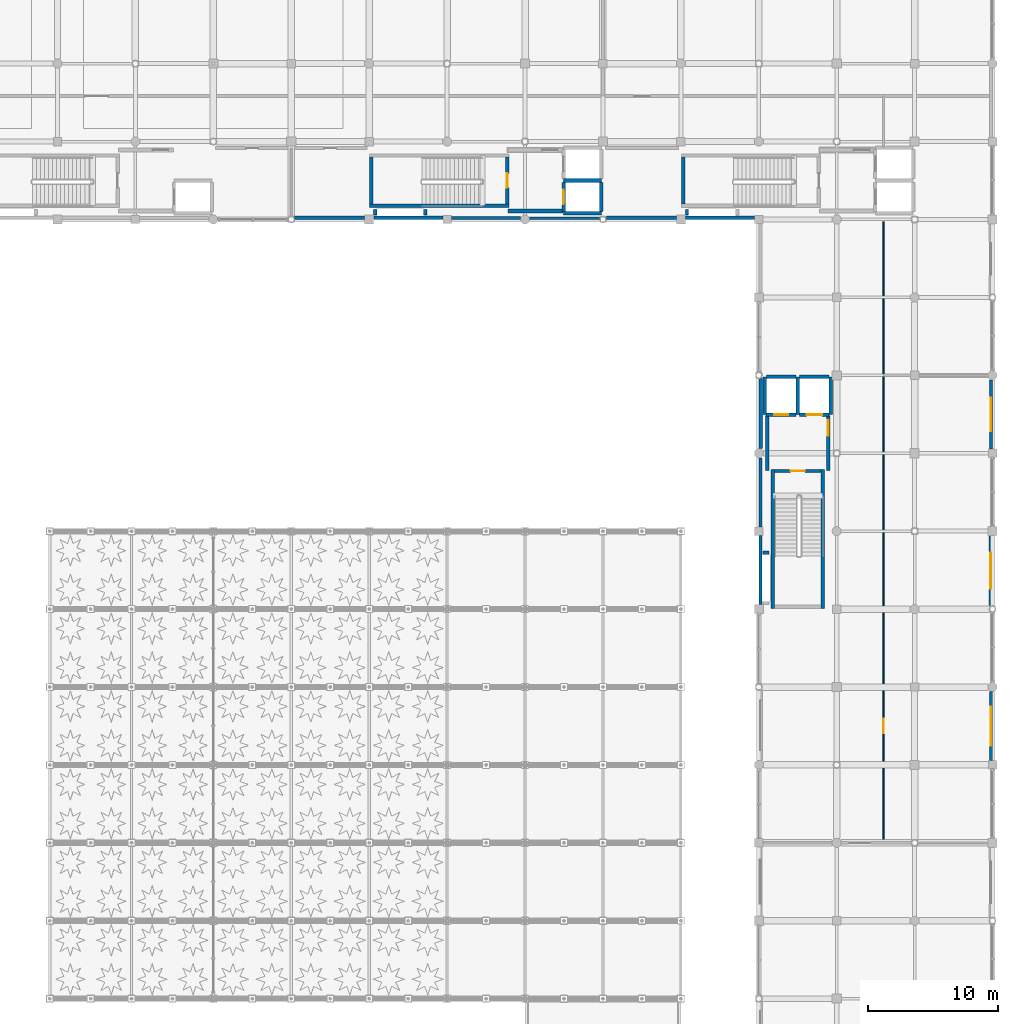
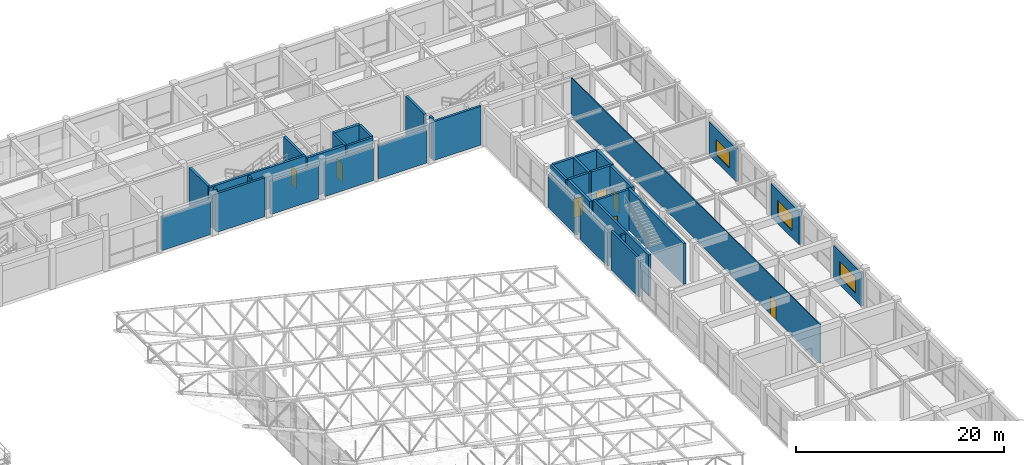
# One storey, part 97 of 112: 38 walls, 7 doors, 3 windows, 10 openings.
"""IFC4 building model written with IfcOpenShell, lengths in metres."""

from ifc_helpers import new_model, si_unit, direction, frame, frame_2d, origin, place, context, subcontext, project, spatial, rectangle, extrude, material, layer, layer_set, type_object, element, fill, save


model = new_model("IFC4")

# Units and contexts
model_context = context("Model", 3, precision=1e-05, world=origin(), true_north=direction((0.0, 1.0)))
body_context = subcontext(model_context, "Body", "Model", "MODEL_VIEW")
ifc_project = project(units=[si_unit("LENGTHUNIT", "METRE"), si_unit("AREAUNIT", "SQUARE_METRE"), si_unit("VOLUMEUNIT", "CUBIC_METRE"), si_unit("PLANEANGLEUNIT", "RADIAN"), si_unit("MASSUNIT", "GRAM", prefix="KILO"), si_unit("THERMODYNAMICTEMPERATUREUNIT", "KELVIN"), si_unit("POWERUNIT", "WATT")], contexts=[model_context])

# Site, building, storey
site_placement = place(None, origin())
site = spatial("IfcSite", under=ifc_project, at=site_placement, CompositionType="ELEMENT")
building_placement = place(site_placement, origin())
building = spatial("IfcBuilding", under=site, at=building_placement, Name="Phaisarnlok Congress Hotel", CompositionType="ELEMENT")
storey_placement = place(building_placement, frame((0.0, 0.0, 19.800048828125)))
storey = spatial("IfcBuildingStorey", under=building, at=storey_placement, Name="L04", CompositionType="ELEMENT", Elevation=19.800048828125)

# Walls
ifc_material_1 = material(Name="Concrete C40/50", Category="concrete")
ifc_layer_1 = layer(ifc_material_1, 0.2099609375, Name="Concrete C40/50")
ifc_layer_set_1 = layer_set([ifc_layer_1], Name="Concrete C40/50")
wall_type_1 = type_object("IfcWallType", Name="WL-EXT-210", PredefinedType="SOLIDWALL", material=ifc_layer_set_1)
wall_1_placement = place(storey_placement, frame((144.35498046875, 108.10498046875, 0.0), z_axis=(0.0, 0.0, 1.0), x_axis=(1.0, 0.0, 0.0)))
element("IfcWall", 1, at=wall_1_placement, inside=storey, type_object=wall_type_1, Name="Exterior wall EW-07 (L04)", PredefinedType="SOLIDWALL", context=body_context, shape_type="SweptSolid", body=[
    extrude(rectangle(XDim=5.385986328125, YDim=0.2099609375, at=frame_2d((2.69287109375, 0.0))), origin(), (0.0, 0.0, 1.0), 3.89990234375),
])
ifc_layer_2 = layer(ifc_material_1, 0.22998046875, Name="Concrete C40/50")
ifc_layer_set_2 = layer_set([ifc_layer_2], Name="Concrete C40/50")
wall_type_2 = type_object("IfcWallType", Name="WL-EXT-230", PredefinedType="SOLIDWALL", material=ifc_layer_set_2)
wall_2_placement = place(storey_placement, frame((138.330078125, 108.114990234375, 0.0), z_axis=(0.0, 0.0, 1.0), x_axis=(1.0, 0.0, 0.0)))
element("IfcWall", 2, at=wall_2_placement, inside=storey, type_object=wall_type_2, Name="Exterior wall EW-06 (L04)", PredefinedType="SOLIDWALL", context=body_context, shape_type="SweptSolid", body=[
    extrude(rectangle(XDim=5.31494140625, YDim=0.22998046875, at=frame_2d((2.657470703125, 0.0))), origin(), (0.0, 0.0, 1.0), 3.89990234375),
])
wall_3_placement = place(storey_placement, frame((162.114990234375, 83.669921875, 0.0), z_axis=(0.0, 0.0, 1.0), x_axis=(0.0, -1.0, 0.0)))
element("IfcWall", 3, at=wall_3_placement, inside=storey, type_object=wall_type_2, Name="Exterior wall EW-06 (L04)", PredefinedType="SOLIDWALL", context=body_context, shape_type="SweptSolid", body=[
    extrude(rectangle(XDim=5.31494140625, YDim=0.22998046875, at=frame_2d((2.657470703125, 0.0))), origin(), (0.0, 0.0, 1.0), 4.550048828125),
])

# Wall, opening, window
wall_4_placement = place(storey_placement, frame((179.885009765625, 66.330078125, 0.0), z_axis=(0.0, 0.0, 1.0), x_axis=(0.0, 1.0, 0.0)))
wall_4 = element("IfcWall", 4, at=wall_4_placement, inside=storey, type_object=wall_type_2, Name="Exterior wall EW-06 (L04)", PredefinedType="SOLIDWALL", context=body_context, shape_type="SweptSolid", body=[
    extrude(rectangle(XDim=5.31494140625, YDim=0.22998046875, at=frame_2d((2.657470703125, 0.0))), origin(), (0.0, 0.0, 1.0), 3.89990234375),
])
opening_1_placement = place(wall_4_placement, frame((1.156982421875, 0.0, 0.85009765625)))
opening_1 = element("IfcOpeningElement", 5, at=opening_1_placement, cuts=wall_4, Name="Opening W-05", PredefinedType="OPENING", context=body_context, shape_type="SweptSolid", body=[
    extrude(rectangle(XDim=3.0, YDim=1.89990234375, at=frame_2d((1.5, 0.949951171875))), frame((0.0, 0.125, 0.0), z_axis=(0.0, -1.0, 0.0), x_axis=(1.0, 0.0, 0.0)), (0.0, 0.0, 1.0), 0.25),
])
ifc_material_2 = material(Name="Thermally Broken Aluminium & Low-E Double Glazing", Category="aluminium")
window_type_1 = type_object("IfcWindowType", Name="WIN-POD-3000", PartitioningType="SINGLE_PANEL", PredefinedType="WINDOW", material=ifc_material_2)
window_1_placement = place(opening_1_placement, origin())
window_1 = element("IfcWindow", 6, at=window_1_placement, inside=storey, type_object=window_type_1, Name="Podium window W-05 (L04)", OverallHeight=1.89990234375, OverallWidth=3.0, PartitioningType="SINGLE_PANEL", PredefinedType="WINDOW", context=body_context, shape_type="SweptSolid", body=[
    extrude(rectangle(XDim=3.0, YDim=1.89990234375, at=frame_2d((1.5, 0.949951171875))), frame((0.0, 0.030029296875, 0.0), z_axis=(0.0, -1.0, 0.0), x_axis=(1.0, 0.0, 0.0)), (0.0, 0.0, 1.0), 0.06005859375),
])
fill(opening_1, window_1)

wall_5_placement = place(storey_placement, frame((179.885009765625, 90.330078125, 0.0), z_axis=(0.0, 0.0, 1.0), x_axis=(0.0, 1.0, 0.0)))
wall_5 = element("IfcWall", 7, at=wall_5_placement, inside=storey, type_object=wall_type_2, Name="Exterior wall EW-06 (L04)", PredefinedType="SOLIDWALL", context=body_context, shape_type="SweptSolid", body=[
    extrude(rectangle(XDim=5.31494140625, YDim=0.22998046875, at=frame_2d((2.657470703125, 0.0))), origin(), (0.0, 0.0, 1.0), 3.89990234375),
])
opening_2_placement = place(wall_5_placement, frame((1.35693359375, 0.0, 0.85009765625)))
opening_2 = element("IfcOpeningElement", 8, at=opening_2_placement, cuts=wall_5, Name="Opening W-07", PredefinedType="OPENING", context=body_context, shape_type="SweptSolid", body=[
    extrude(rectangle(XDim=2.60009765625, YDim=1.800048828125, at=frame_2d((1.300048828125, 0.89990234375))), frame((0.0, 0.125, 0.0), z_axis=(0.0, -1.0, 0.0), x_axis=(1.0, 0.0, 0.0)), (0.0, 0.0, 1.0), 0.25),
])
window_type_2 = type_object("IfcWindowType", Name="WIN-POD-2600", PartitioningType="SINGLE_PANEL", PredefinedType="WINDOW", material=ifc_material_2)
window_2_placement = place(opening_2_placement, origin())
window_2 = element("IfcWindow", 9, at=window_2_placement, inside=storey, type_object=window_type_2, Name="Podium window W-07 (L04)", OverallHeight=1.800048828125, OverallWidth=2.60009765625, PartitioningType="SINGLE_PANEL", PredefinedType="WINDOW", context=body_context, shape_type="SweptSolid", body=[
    extrude(rectangle(XDim=2.60009765625, YDim=1.800048828125, at=frame_2d((1.300048828125, 0.89990234375))), frame((0.0, 0.030029296875, 0.0), z_axis=(0.0, -1.0, 0.0), x_axis=(1.0, 0.0, 0.0)), (0.0, 0.0, 1.0), 0.06005859375),
])
fill(opening_2, window_2)

# Walls
ifc_layer_3 = layer(ifc_material_1, 0.25, Name="Concrete C40/50")
ifc_layer_set_3 = layer_set([ifc_layer_3], Name="Concrete C40/50")
wall_type_3 = type_object("IfcWallType", Name="WL-EXT-250", PredefinedType="SOLIDWALL", material=ifc_layer_set_3)
for number, where, z_axis, x_axis, name in (
    (10, (132.35498046875, 108.125, 0.0), (0.0, 0.0, 1.0), (1.0, 0.0, 0.0), "Exterior wall EW-05 (L04)"),
    (11, (156.35498046875, 108.125, 0.0), (0.0, 0.0, 1.0), (1.0, 0.0, 0.0), "Exterior wall EW-05 (L04)"),
):
    element("IfcWall", number, at=place(storey_placement, frame(where, z_axis=z_axis, x_axis=x_axis)), inside=storey, type_object=wall_type_3, Name=name, PredefinedType="SOLIDWALL", context=body_context, shape_type="SweptSolid", body=[
        extrude(rectangle(XDim=5.31494140625, YDim=0.25, at=frame_2d((2.657470703125, 0.0))), origin(), (0.0, 0.0, 1.0), 4.550048828125),
    ])
wall_6_placement = place(storey_placement, frame((162.125, 89.64501953125, 0.0), z_axis=(0.0, 0.0, 1.0), x_axis=(0.0, -1.0, 0.0)))
element("IfcWall", 12, at=wall_6_placement, inside=storey, type_object=wall_type_3, Name="Exterior wall EW-05 (L04)", PredefinedType="SOLIDWALL", context=body_context, shape_type="SweptSolid", body=[
    extrude(rectangle(XDim=5.31494140625, YDim=0.25, at=frame_2d((2.657470703125, 0.0))), origin(), (0.0, 0.0, 1.0), 3.89990234375),
])
ifc_layer_4 = layer(ifc_material_1, 0.27001953125, Name="Concrete C40/50")
ifc_layer_set_4 = layer_set([ifc_layer_4], Name="Concrete C40/50")
wall_type_4 = type_object("IfcWallType", Name="WL-EXT-270", PredefinedType="SOLIDWALL", material=ifc_layer_set_4)
for number, where, z_axis, x_axis, name in (
    (13, (126.259033203125, 108.135009765625, 0.0), (0.0, 0.0, 1.0), (1.0, 0.0, 0.0), "Exterior wall EW-04 (L04)"),
    (14, (150.259033203125, 108.135009765625, 0.0), (0.0, 0.0, 1.0), (1.0, 0.0, 0.0), "Exterior wall EW-04 (L04)"),
    (15, (162.135009765625, 95.740966796875, 0.0), (0.0, 0.0, 1.0), (0.0, -1.0, 0.0), "Exterior wall EW-04 (L04)"),
):
    element("IfcWall", number, at=place(storey_placement, frame(where, z_axis=z_axis, x_axis=x_axis)), inside=storey, type_object=wall_type_4, Name=name, PredefinedType="SOLIDWALL", context=body_context, shape_type="SweptSolid", body=[
        extrude(rectangle(XDim=5.385986328125, YDim=0.27001953125, at=frame_2d((2.69287109375, 0.0))), origin(), (0.0, 0.0, 1.0), 3.89990234375),
    ])

# Wall, opening, window
wall_7_placement = place(storey_placement, frame((179.864990234375, 78.259033203125, 0.0), z_axis=(0.0, 0.0, 1.0), x_axis=(0.0, 1.0, 0.0)))
wall_7 = element("IfcWall", 16, at=wall_7_placement, inside=storey, type_object=wall_type_4, Name="Exterior wall EW-04 (L04)", PredefinedType="SOLIDWALL", context=body_context, shape_type="SweptSolid", body=[
    extrude(rectangle(XDim=5.385986328125, YDim=0.27001953125, at=frame_2d((2.69287109375, 0.0))), origin(), (0.0, 0.0, 1.0), 3.89990234375),
])
opening_3_placement = place(wall_7_placement, frame((1.29296875, 0.0, 0.85009765625)))
opening_3 = element("IfcOpeningElement", 17, at=opening_3_placement, cuts=wall_7, Name="Opening W-06", PredefinedType="OPENING", context=body_context, shape_type="SweptSolid", body=[
    extrude(rectangle(XDim=2.800048828125, YDim=1.89990234375, at=frame_2d((1.39990234375, 0.949951171875))), frame((0.0, 0.14501953125, 0.0), z_axis=(0.0, -1.0, 0.0), x_axis=(1.0, 0.0, 0.0)), (0.0, 0.0, 1.0), 0.2900390625),
])
window_type_3 = type_object("IfcWindowType", Name="WIN-POD-2800", PartitioningType="SINGLE_PANEL", PredefinedType="WINDOW", material=ifc_material_2)
window_3_placement = place(opening_3_placement, origin())
window_3 = element("IfcWindow", 18, at=window_3_placement, inside=storey, type_object=window_type_3, Name="Podium window W-06 (L04)", OverallHeight=1.89990234375, OverallWidth=2.800048828125, PartitioningType="SINGLE_PANEL", PredefinedType="WINDOW", context=body_context, shape_type="SweptSolid", body=[
    extrude(rectangle(XDim=2.800048828125, YDim=1.89990234375, at=frame_2d((1.39990234375, 0.949951171875))), frame((0.0, 0.030029296875, 0.0), z_axis=(0.0, -1.0, 0.0), x_axis=(1.0, 0.0, 0.0)), (0.0, 0.0, 1.0), 0.06005859375),
])
fill(opening_3, window_3)

# Wall, opening, door
ifc_material_3 = material(Name="Service Riser Shaftwall Partition", Category="gypsum")
ifc_layer_5 = layer(ifc_material_3, 0.10498046875, Name="Service Riser Shaftwall Partition")
ifc_layer_set_5 = layer_set([ifc_layer_5], Name="Service Riser Shaftwall Partition")
wall_type_5 = type_object("IfcWallType", Name="WL-INT-105", PredefinedType="PARTITIONING", material=ifc_layer_set_5)
wall_8_placement = place(storey_placement, frame((171.60009765625, 60.0, 0.0), z_axis=(0.0, 0.0, 1.0), x_axis=(0.0, 1.0, 0.0)))
wall_8 = element("IfcWall", 19, at=wall_8_placement, inside=storey, type_object=wall_type_5, Name="Interior partition wall IW-08 (L04)", PredefinedType="PARTITIONING", context=body_context, shape_type="SweptSolid", body=[
    extrude(rectangle(XDim=47.820068359375, YDim=0.10498046875, at=frame_2d((23.91015625, 0.0))), origin(), (0.0, 0.0, 1.0), 4.550048828125),
])
opening_4_placement = place(wall_8_placement, frame((8.449951171875, 0.0, 0.0)))
opening_4 = element("IfcOpeningElement", 20, at=opening_4_placement, cuts=wall_8, Name="Opening D-0133", PredefinedType="OPENING", context=body_context, shape_type="SweptSolid", body=[
    extrude(rectangle(XDim=1.10009765625, YDim=2.14990234375, at=frame_2d((0.550048828125, 1.074951171875))), frame((0.0, 0.0625, 0.0), z_axis=(0.0, -1.0, 0.0), x_axis=(1.0, 0.0, 0.0)), (0.0, 0.0, 1.0), 0.125),
])
ifc_material_4 = material(Name="Fire-Rated Steel Frame & Timber Leaf", Category="steel")
door_type_1 = type_object("IfcDoorType", Name="DR-FD60-1100", OperationType="NOTDEFINED", PredefinedType="DOOR", material=ifc_material_4)
door_1_placement = place(opening_4_placement, origin())
door_1 = element("IfcDoor", 21, at=door_1_placement, inside=storey, type_object=door_type_1, Name="Interior door D-0133 (L04)", OperationType="SINGLE_SWING_LEFT", OverallHeight=2.14990234375, OverallWidth=1.10009765625, PredefinedType="DOOR", context=body_context, shape_type="SweptSolid", body=[
    extrude(rectangle(XDim=1.10009765625, YDim=2.14990234375, at=frame_2d((0.550048828125, 1.074951171875))), frame((0.0, 0.02490234375, 0.0), z_axis=(0.0, -1.0, 0.0), x_axis=(1.0, 0.0, 0.0)), (0.0, 0.0, 1.0), 0.050048828125),
])
fill(opening_4, door_1)

# Walls
ifc_material_5 = material(Name="Concrete C50/60", Category="concrete")
ifc_layer_6 = layer(ifc_material_5, 0.260009765625, Name="Concrete C50/60")
ifc_layer_set_6 = layer_set([ifc_layer_6], Name="Concrete C50/60")
wall_type_6 = type_object("IfcWallType", Name="WL-SHR-260", PredefinedType="SHEAR", material=ifc_layer_set_6)
wall_9_placement = place(storey_placement, frame((156.169921875, 109.199951171875, 0.0), z_axis=(0.0, 0.0, 1.0), x_axis=(0.0, 1.0, 0.0)))
element("IfcWall", 22, at=wall_9_placement, inside=storey, type_object=wall_type_6, Name="Stair shaft shear wall SW-04 (CORE-1 L04)", PredefinedType="SHEAR", context=body_context, shape_type="SweptSolid", body=[
    extrude(rectangle(XDim=3.60009765625, YDim=0.260009765625, at=frame_2d((1.800048828125, 0.0))), origin(), (0.0, 0.0, 1.0), 4.800048828125),
])
wall_10_placement = place(storey_placement, frame((156.469970703125, 108.330078125, 0.0), z_axis=(0.0, 0.0, 1.0), x_axis=(0.0, 1.0, 0.0)))
element("IfcWall", 23, at=wall_10_placement, inside=storey, type_object=wall_type_6, Name="Service riser shaft wall SW-04 (CORE-1 L04)", PredefinedType="SHEAR", context=body_context, shape_type="SweptSolid", body=[
    extrude(rectangle(XDim=0.43994140625, YDim=0.260009765625, at=frame_2d((0.219970703125, 0.0))), origin(), (0.0, 0.0, 1.0), 4.800048828125),
])
wall_11_placement = place(storey_placement, frame((132.0400390625, 109.070068359375, 0.0), z_axis=(0.0, 0.0, 1.0), x_axis=(1.0, 0.0, 0.0)))
element("IfcWall", 24, at=wall_11_placement, inside=storey, type_object=wall_type_6, Name="Stair shaft shear wall SW-04 (CORE-2 L04)", PredefinedType="SHEAR", context=body_context, shape_type="SweptSolid", body=[
    extrude(rectangle(XDim=10.719970703125, YDim=0.260009765625, at=frame_2d((5.35986328125, 0.0))), origin(), (0.0, 0.0, 1.0), 4.800048828125),
])
wall_12_placement = place(storey_placement, frame((132.169921875, 109.199951171875, 0.0), z_axis=(0.0, 0.0, 1.0), x_axis=(0.0, 1.0, 0.0)))
element("IfcWall", 25, at=wall_12_placement, inside=storey, type_object=wall_type_6, Name="Stair shaft shear wall SW-04 (CORE-2 L04)", PredefinedType="SHEAR", context=body_context, shape_type="SweptSolid", body=[
    extrude(rectangle(XDim=3.60009765625, YDim=0.260009765625, at=frame_2d((1.800048828125, 0.0))), origin(), (0.0, 0.0, 1.0), 4.800048828125),
])

# Wall, opening, door
wall_13_placement = place(storey_placement, frame((142.6298828125, 109.199951171875, 0.0), z_axis=(0.0, 0.0, 1.0), x_axis=(0.0, 1.0, 0.0)))
wall_13 = element("IfcWall", 26, at=wall_13_placement, inside=storey, type_object=wall_type_6, Name="Stair shaft shear wall SW-04 (CORE-2 L04)", PredefinedType="SHEAR", context=body_context, shape_type="SweptSolid", body=[
    extrude(rectangle(XDim=3.60009765625, YDim=0.260009765625, at=frame_2d((1.800048828125, 0.0))), origin(), (0.0, 0.0, 1.0), 4.800048828125),
])
opening_5_placement = place(wall_13_placement, frame((1.25, 0.0, 0.0)))
opening_5 = element("IfcOpeningElement", 27, at=opening_5_placement, cuts=wall_13, Name="Opening FD-036", PredefinedType="OPENING", context=body_context, shape_type="SweptSolid", body=[
    extrude(rectangle(XDim=1.10009765625, YDim=2.14990234375, at=frame_2d((0.550048828125, 1.074951171875))), frame((0.0, 0.14013671875, 0.0), z_axis=(0.0, -1.0, 0.0), x_axis=(1.0, 0.0, 0.0)), (0.0, 0.0, 1.0), 0.280029296875),
])
door_2_placement = place(opening_5_placement, origin())
door_2 = element("IfcDoor", 28, at=door_2_placement, inside=storey, type_object=door_type_1, Name="Stair enclosure fire door FD-036 (L04)", OperationType="SINGLE_SWING_LEFT", OverallHeight=2.14990234375, OverallWidth=1.10009765625, PredefinedType="DOOR", context=body_context, shape_type="SweptSolid", body=[
    extrude(rectangle(XDim=1.10009765625, YDim=2.14990234375, at=frame_2d((0.550048828125, 1.074951171875))), frame((0.0, 0.02490234375, 0.0), z_axis=(0.0, -1.0, 0.0), x_axis=(1.0, 0.0, 0.0)), (0.0, 0.0, 1.0), 0.050048828125),
])
fill(opening_5, door_2)

# Walls
wall_14_placement = place(storey_placement, frame((146.969970703125, 108.469970703125, 0.0), z_axis=(0.0, 0.0, 1.0), x_axis=(1.0, 0.0, 0.0)))
element("IfcWall", 29, at=wall_14_placement, inside=storey, type_object=wall_type_6, Name="Lift shaft shear wall SW-04 (LF-FF2 L04)", PredefinedType="SHEAR", context=body_context, shape_type="SweptSolid", body=[
    extrude(rectangle(XDim=2.909912109375, YDim=0.260009765625, at=frame_2d((1.455078125, 0.0))), origin(), (0.0, 0.0, 1.0), 4.800048828125),
])
wall_15_placement = place(storey_placement, frame((149.8798828125, 108.60009765625, 0.0), z_axis=(0.0, 0.0, 1.0), x_axis=(0.0, 1.0, 0.0)))
element("IfcWall", 30, at=wall_15_placement, inside=storey, type_object=wall_type_6, Name="Lift shaft shear wall SW-04 (LF-FF2 L04)", PredefinedType="SHEAR", context=body_context, shape_type="SweptSolid", body=[
    extrude(rectangle(XDim=2.25, YDim=0.260009765625, at=frame_2d((1.125, 0.0))), origin(), (0.0, 0.0, 1.0), 4.800048828125),
])

# Wall, opening, door
wall_16_placement = place(storey_placement, frame((146.969970703125, 108.60009765625, 0.0), z_axis=(0.0, 0.0, 1.0), x_axis=(0.0, 1.0, 0.0)))
wall_16 = element("IfcWall", 31, at=wall_16_placement, inside=storey, type_object=wall_type_6, Name="Lift shaft front wall SW-04 (LF-FF2 L04)", PredefinedType="SHEAR", context=body_context, shape_type="SweptSolid", body=[
    extrude(rectangle(XDim=2.25, YDim=0.260009765625, at=frame_2d((1.125, 0.0))), origin(), (0.0, 0.0, 1.0), 4.800048828125),
])
opening_6_placement = place(wall_16_placement, frame((0.574951171875, 0.0, 0.0)))
opening_6 = element("IfcOpeningElement", 32, at=opening_6_placement, cuts=wall_16, Name="Opening LD-036", PredefinedType="OPENING", context=body_context, shape_type="SweptSolid", body=[
    extrude(rectangle(XDim=1.10009765625, YDim=2.199951171875, at=frame_2d((0.550048828125, 1.10009765625))), frame((0.0, 0.14013671875, 0.0), z_axis=(0.0, -1.0, 0.0), x_axis=(1.0, 0.0, 0.0)), (0.0, 0.0, 1.0), 0.280029296875),
])
ifc_material_6 = material(Name="Brushed Stainless Steel Grade 304", Category="steel")
door_type_2 = type_object("IfcDoorType", Name="DR-LD-1100", OperationType="DOUBLE_DOOR_SLIDING", PredefinedType="DOOR", material=ifc_material_6)
door_3_placement = place(opening_6_placement, origin())
door_3 = element("IfcDoor", 33, at=door_3_placement, inside=storey, type_object=door_type_2, Name="Lift landing sliding door LD-036 (LF-FF2 L04)", OperationType="DOUBLE_DOOR_SLIDING", OverallHeight=2.199951171875, OverallWidth=1.10009765625, PredefinedType="DOOR", context=body_context, shape_type="SweptSolid", body=[
    extrude(rectangle(XDim=1.10009765625, YDim=2.199951171875, at=frame_2d((0.550048828125, 1.10009765625))), frame((0.0, 0.02490234375, 0.0), z_axis=(0.0, -1.0, 0.0), x_axis=(1.0, 0.0, 0.0)), (0.0, 0.0, 1.0), 0.050048828125),
])
fill(opening_6, door_3)

# Walls
for number, where, z_axis, x_axis, name in (
    (34, (132.469970703125, 108.330078125, 0.0), (0.0, 0.0, 1.0), (0.0, 1.0, 0.0), "Service riser shaft wall SW-04 (CORE-2 L04)"),
    (35, (136.330078125, 108.330078125, 0.0), (0.0, 0.0, 1.0), (0.0, 1.0, 0.0), "Service riser shaft wall SW-04 (CORE-2 L04)"),
):
    element("IfcWall", number, at=place(storey_placement, frame(where, z_axis=z_axis, x_axis=x_axis)), inside=storey, type_object=wall_type_6, Name=name, PredefinedType="SHEAR", context=body_context, shape_type="SweptSolid", body=[
        extrude(rectangle(XDim=0.43994140625, YDim=0.260009765625, at=frame_2d((0.219970703125, 0.0))), origin(), (0.0, 0.0, 1.0), 4.800048828125),
    ])
for number, where, z_axis, x_axis, name in (
    (36, (163.070068359375, 78.0400390625, 0.0), (0.0, 0.0, 1.0), (0.0, 1.0, 0.0), "Stair shaft shear wall SW-04 (CORE-3 L04)"),
    (37, (166.929931640625, 78.0400390625, 0.0), (0.0, 0.0, 1.0), (0.0, 1.0, 0.0), "Stair shaft shear wall SW-04 (CORE-3 L04)"),
):
    element("IfcWall", number, at=place(storey_placement, frame(where, z_axis=z_axis, x_axis=x_axis)), inside=storey, type_object=wall_type_6, Name=name, PredefinedType="SHEAR", context=body_context, shape_type="SweptSolid", body=[
        extrude(rectangle(XDim=10.719970703125, YDim=0.260009765625, at=frame_2d((5.35986328125, 0.0))), origin(), (0.0, 0.0, 1.0), 4.800048828125),
    ])

# Wall, opening, door
wall_17_placement = place(storey_placement, frame((163.199951171875, 88.6298828125, 0.0), z_axis=(0.0, 0.0, 1.0), x_axis=(1.0, 0.0, 0.0)))
wall_17 = element("IfcWall", 38, at=wall_17_placement, inside=storey, type_object=wall_type_6, Name="Stair shaft shear wall SW-04 (CORE-3 L04)", PredefinedType="SHEAR", context=body_context, shape_type="SweptSolid", body=[
    extrude(rectangle(XDim=3.60009765625, YDim=0.260009765625, at=frame_2d((1.800048828125, 0.0))), origin(), (0.0, 0.0, 1.0), 4.800048828125),
])
opening_7_placement = place(wall_17_placement, frame((1.25, 0.0, 0.0)))
opening_7 = element("IfcOpeningElement", 39, at=opening_7_placement, cuts=wall_17, Name="Opening FD-066", PredefinedType="OPENING", context=body_context, shape_type="SweptSolid", body=[
    extrude(rectangle(XDim=1.10009765625, YDim=2.14990234375, at=frame_2d((0.550048828125, 1.074951171875))), frame((0.0, 0.14013671875, 0.0), z_axis=(0.0, -1.0, 0.0), x_axis=(1.0, 0.0, 0.0)), (0.0, 0.0, 1.0), 0.280029296875),
])
door_4_placement = place(opening_7_placement, origin())
door_4 = element("IfcDoor", 40, at=door_4_placement, inside=storey, type_object=door_type_1, Name="Stair enclosure fire door FD-066 (L04)", OperationType="SINGLE_SWING_LEFT", OverallHeight=2.14990234375, OverallWidth=1.10009765625, PredefinedType="DOOR", context=body_context, shape_type="SweptSolid", body=[
    extrude(rectangle(XDim=1.10009765625, YDim=2.14990234375, at=frame_2d((0.550048828125, 1.074951171875))), frame((0.0, 0.02490234375, 0.0), z_axis=(0.0, -1.0, 0.0), x_axis=(1.0, 0.0, 0.0)), (0.0, 0.0, 1.0), 0.050048828125),
])
fill(opening_7, door_4)

# Walls
wall_18_placement = place(storey_placement, frame((162.469970703125, 92.969970703125, 0.0), z_axis=(0.0, 0.0, 1.0), x_axis=(0.0, 1.0, 0.0)))
element("IfcWall", 41, at=wall_18_placement, inside=storey, type_object=wall_type_6, Name="Lift shaft shear wall SW-04 (LF-HP3 L04)", PredefinedType="SHEAR", context=body_context, shape_type="SweptSolid", body=[
    extrude(rectangle(XDim=2.909912109375, YDim=0.260009765625, at=frame_2d((1.455078125, 0.0))), origin(), (0.0, 0.0, 1.0), 4.800048828125),
])
wall_19_placement = place(storey_placement, frame((162.60009765625, 95.8798828125, 0.0), z_axis=(0.0, 0.0, 1.0), x_axis=(1.0, 0.0, 0.0)))
element("IfcWall", 42, at=wall_19_placement, inside=storey, type_object=wall_type_6, Name="Lift shaft shear wall SW-04 (LF-HP3 L04)", PredefinedType="SHEAR", context=body_context, shape_type="SweptSolid", body=[
    extrude(rectangle(XDim=2.25, YDim=0.260009765625, at=frame_2d((1.125, 0.0))), origin(), (0.0, 0.0, 1.0), 4.800048828125),
])

# Wall, opening, door
wall_20_placement = place(storey_placement, frame((162.60009765625, 92.969970703125, 0.0), z_axis=(0.0, 0.0, 1.0), x_axis=(1.0, 0.0, 0.0)))
wall_20 = element("IfcWall", 43, at=wall_20_placement, inside=storey, type_object=wall_type_6, Name="Lift shaft front wall SW-04 (LF-HP3 L04)", PredefinedType="SHEAR", context=body_context, shape_type="SweptSolid", body=[
    extrude(rectangle(XDim=2.25, YDim=0.260009765625, at=frame_2d((1.125, 0.0))), origin(), (0.0, 0.0, 1.0), 4.800048828125),
])
opening_8_placement = place(wall_20_placement, frame((0.574951171875, 0.0, 0.0)))
opening_8 = element("IfcOpeningElement", 44, at=opening_8_placement, cuts=wall_20, Name="Opening LD-066", PredefinedType="OPENING", context=body_context, shape_type="SweptSolid", body=[
    extrude(rectangle(XDim=1.10009765625, YDim=2.199951171875, at=frame_2d((0.550048828125, 1.10009765625))), frame((0.0, 0.14013671875, 0.0), z_axis=(0.0, -1.0, 0.0), x_axis=(1.0, 0.0, 0.0)), (0.0, 0.0, 1.0), 0.280029296875),
])
door_5_placement = place(opening_8_placement, origin())
door_5 = element("IfcDoor", 45, at=door_5_placement, inside=storey, type_object=door_type_2, Name="Lift landing sliding door LD-066 (LF-HP3 L04)", OperationType="DOUBLE_DOOR_SLIDING", OverallHeight=2.199951171875, OverallWidth=1.10009765625, PredefinedType="DOOR", context=body_context, shape_type="SweptSolid", body=[
    extrude(rectangle(XDim=1.10009765625, YDim=2.199951171875, at=frame_2d((0.550048828125, 1.10009765625))), frame((0.0, 0.02490234375, 0.0), z_axis=(0.0, -1.0, 0.0), x_axis=(1.0, 0.0, 0.0)), (0.0, 0.0, 1.0), 0.050048828125),
])
fill(opening_8, door_5)

# Walls
wall_21_placement = place(storey_placement, frame((167.530029296875, 92.969970703125, 0.0), z_axis=(0.0, 0.0, 1.0), x_axis=(0.0, 1.0, 0.0)))
element("IfcWall", 46, at=wall_21_placement, inside=storey, type_object=wall_type_6, Name="Lift shaft shear wall SW-04 (LF-SV1 L04)", PredefinedType="SHEAR", context=body_context, shape_type="SweptSolid", body=[
    extrude(rectangle(XDim=2.909912109375, YDim=0.260009765625, at=frame_2d((1.455078125, 0.0))), origin(), (0.0, 0.0, 1.0), 4.800048828125),
])
wall_22_placement = place(storey_placement, frame((165.14990234375, 95.8798828125, 0.0), z_axis=(0.0, 0.0, 1.0), x_axis=(1.0, 0.0, 0.0)))
element("IfcWall", 47, at=wall_22_placement, inside=storey, type_object=wall_type_6, Name="Lift shaft shear wall SW-04 (LF-SV1 L04)", PredefinedType="SHEAR", context=body_context, shape_type="SweptSolid", body=[
    extrude(rectangle(XDim=2.25, YDim=0.260009765625, at=frame_2d((1.125, 0.0))), origin(), (0.0, 0.0, 1.0), 4.800048828125),
])

# Wall, opening, door
wall_23_placement = place(storey_placement, frame((165.14990234375, 92.969970703125, 0.0), z_axis=(0.0, 0.0, 1.0), x_axis=(1.0, 0.0, 0.0)))
wall_23 = element("IfcWall", 48, at=wall_23_placement, inside=storey, type_object=wall_type_6, Name="Lift shaft front wall SW-04 (LF-SV1 L04)", PredefinedType="SHEAR", context=body_context, shape_type="SweptSolid", body=[
    extrude(rectangle(XDim=2.25, YDim=0.260009765625, at=frame_2d((1.125, 0.0))), origin(), (0.0, 0.0, 1.0), 4.800048828125),
])
opening_9_placement = place(wall_23_placement, frame((0.52490234375, 0.0, 0.0)))
opening_9 = element("IfcOpeningElement", 49, at=opening_9_placement, cuts=wall_23, Name="Opening LD-081", PredefinedType="OPENING", context=body_context, shape_type="SweptSolid", body=[
    extrude(rectangle(XDim=1.199951171875, YDim=2.25, at=frame_2d((0.60009765625, 1.125))), frame((0.0, 0.14013671875, 0.0), z_axis=(0.0, -1.0, 0.0), x_axis=(1.0, 0.0, 0.0)), (0.0, 0.0, 1.0), 0.280029296875),
])
door_type_3 = type_object("IfcDoorType", Name="DR-LD-1200", OperationType="DOUBLE_DOOR_SLIDING", PredefinedType="DOOR", material=ifc_material_6)
door_6_placement = place(opening_9_placement, origin())
door_6 = element("IfcDoor", 50, at=door_6_placement, inside=storey, type_object=door_type_3, Name="Lift landing sliding door LD-081 (LF-SV1 L04)", OperationType="DOUBLE_DOOR_SLIDING", OverallHeight=2.25, OverallWidth=1.199951171875, PredefinedType="DOOR", context=body_context, shape_type="SweptSolid", body=[
    extrude(rectangle(XDim=1.199951171875, YDim=2.25, at=frame_2d((0.60009765625, 1.125))), frame((0.0, 0.02490234375, 0.0), z_axis=(0.0, -1.0, 0.0), x_axis=(1.0, 0.0, 0.0)), (0.0, 0.0, 1.0), 0.050048828125),
])
fill(opening_9, door_6)

# Walls
wall_24_placement = place(storey_placement, frame((162.330078125, 82.330078125, 0.0), z_axis=(0.0, 0.0, 1.0), x_axis=(1.0, 0.0, 0.0)))
element("IfcWall", 51, at=wall_24_placement, inside=storey, type_object=wall_type_6, Name="Service riser shaft wall SW-04 (CORE-3 L04)", PredefinedType="SHEAR", context=body_context, shape_type="SweptSolid", body=[
    extrude(rectangle(XDim=0.43994140625, YDim=0.260009765625, at=frame_2d((0.219970703125, 0.0))), origin(), (0.0, 0.0, 1.0), 4.800048828125),
])
ifc_layer_7 = layer(ifc_material_5, 0.300048828125, Name="Concrete C50/60")
ifc_layer_set_7 = layer_set([ifc_layer_7], Name="Concrete C50/60")
wall_type_7 = type_object("IfcWallType", Name="WL-SHR-300", PredefinedType="SHEAR", material=ifc_layer_set_7)
wall_25_placement = place(storey_placement, frame((146.969970703125, 111.0, 0.0), z_axis=(0.0, 0.0, 1.0), x_axis=(1.0, 0.0, 0.0)))
element("IfcWall", 52, at=wall_25_placement, inside=storey, type_object=wall_type_7, Name="Lift shaft divider shear wall SW-03 (LF-FF2 L04)", PredefinedType="SHEAR", context=body_context, shape_type="SweptSolid", body=[
    extrude(rectangle(XDim=2.909912109375, YDim=0.300048828125, at=frame_2d((1.455078125, 0.0))), origin(), (0.0, 0.0, 1.0), 4.800048828125),
])
wall_26_placement = place(storey_placement, frame((142.679931640625, 108.64990234375, 0.0), z_axis=(0.0, 0.0, 1.0), x_axis=(1.0, 0.0, 0.0)))
element("IfcWall", 53, at=wall_26_placement, inside=storey, type_object=wall_type_7, Name="Core lobby EI-120 wall SW-03 (CORE-2 L04)", PredefinedType="SHEAR", context=body_context, shape_type="SweptSolid", body=[
    extrude(rectangle(XDim=4.239990234375, YDim=0.300048828125, at=frame_2d((2.1201171875, 0.0))), origin(), (0.0, 0.0, 1.0), 4.800048828125),
])
wall_27_placement = place(storey_placement, frame((165.0, 92.969970703125, 0.0), z_axis=(0.0, 0.0, 1.0), x_axis=(0.0, 1.0, 0.0)))
element("IfcWall", 54, at=wall_27_placement, inside=storey, type_object=wall_type_7, Name="Lift shaft divider shear wall SW-03 (LF-HP3 L04)", PredefinedType="SHEAR", context=body_context, shape_type="SweptSolid", body=[
    extrude(rectangle(XDim=2.909912109375, YDim=0.300048828125, at=frame_2d((1.455078125, 0.0))), origin(), (0.0, 0.0, 1.0), 4.800048828125),
])

# Wall, opening, door
wall_28_placement = place(storey_placement, frame((167.35009765625, 88.679931640625, 0.0), z_axis=(0.0, 0.0, 1.0), x_axis=(0.0, 1.0, 0.0)))
wall_28 = element("IfcWall", 55, at=wall_28_placement, inside=storey, type_object=wall_type_7, Name="Core lobby EI-120 wall SW-03 (CORE-3 L04)", PredefinedType="SHEAR", context=body_context, shape_type="SweptSolid", body=[
    extrude(rectangle(XDim=4.239990234375, YDim=0.300048828125, at=frame_2d((2.1201171875, 0.0))), origin(), (0.0, 0.0, 1.0), 4.800048828125),
])
opening_10_placement = place(wall_28_placement, frame((2.64990234375, 0.0, 0.0)))
opening_10 = element("IfcOpeningElement", 56, at=opening_10_placement, cuts=wall_28, Name="Opening FD-081", PredefinedType="OPENING", context=body_context, shape_type="SweptSolid", body=[
    extrude(rectangle(XDim=1.199951171875, YDim=2.199951171875, at=frame_2d((0.60009765625, 1.10009765625))), frame((0.0, 0.16015625, 0.0), z_axis=(0.0, -1.0, 0.0), x_axis=(1.0, 0.0, 0.0)), (0.0, 0.0, 1.0), 0.320068359375),
])
door_type_4 = type_object("IfcDoorType", Name="DR-FD60-1200", OperationType="NOTDEFINED", PredefinedType="DOOR", material=ifc_material_4)
door_7_placement = place(opening_10_placement, origin())
door_7 = element("IfcDoor", 57, at=door_7_placement, inside=storey, type_object=door_type_4, Name="Core lobby entrance door FD-081 (CORE-3 L04)", OperationType="SINGLE_SWING_RIGHT", OverallHeight=2.199951171875, OverallWidth=1.199951171875, PredefinedType="DOOR", context=body_context, shape_type="SweptSolid", body=[
    extrude(rectangle(XDim=1.199951171875, YDim=2.199951171875, at=frame_2d((0.60009765625, 1.10009765625))), frame((0.0, 0.02490234375, 0.0), z_axis=(0.0, -1.0, 0.0), x_axis=(1.0, 0.0, 0.0)), (0.0, 0.0, 1.0), 0.050048828125),
])
fill(opening_10, door_7)

# Wall
wall_29_placement = place(storey_placement, frame((162.64990234375, 88.679931640625, 0.0), z_axis=(0.0, 0.0, 1.0), x_axis=(0.0, 1.0, 0.0)))
element("IfcWall", 58, at=wall_29_placement, inside=storey, type_object=wall_type_7, Name="Core lobby EI-120 wall SW-03 (CORE-3 L04)", PredefinedType="SHEAR", context=body_context, shape_type="SweptSolid", body=[
    extrude(rectangle(XDim=4.239990234375, YDim=0.300048828125, at=frame_2d((2.1201171875, 0.0))), origin(), (0.0, 0.0, 1.0), 4.800048828125),
])

save(model, "model.ifc")
